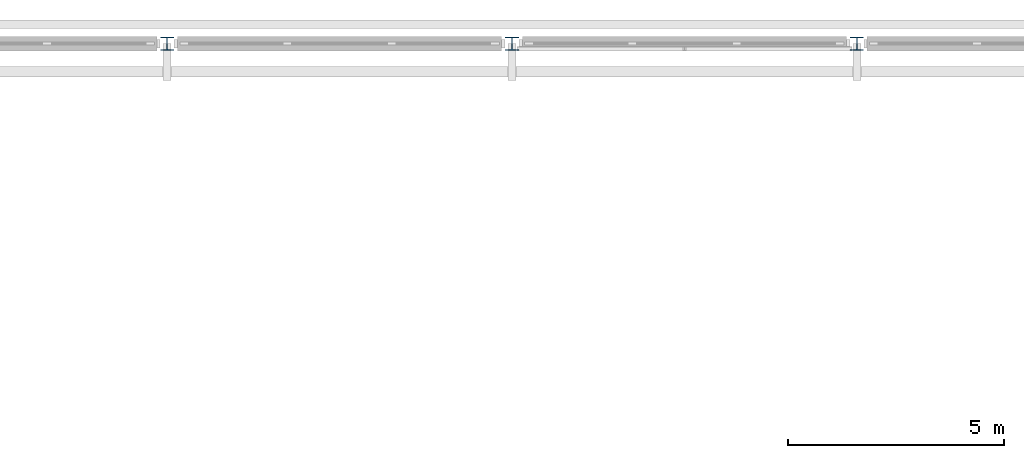
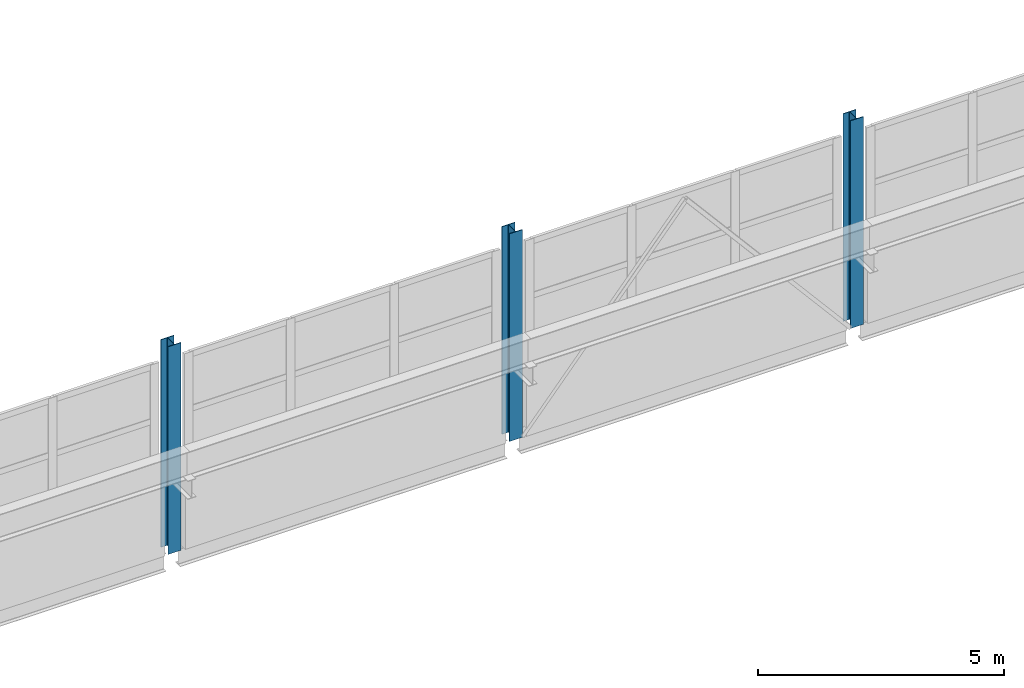
# One storey, part 10 of 106: 3 columns.
"""IFC4 building model written with IfcOpenShell, lengths in metres."""

import ifcopenshell
import ifcopenshell.guid

model = None  # the IFC model being written
_history = None  # IfcOwnerHistory: only IFC2X3 demands one
_inside = {}  # id of a spatial element -> (the spatial element, [elements in it])
_under = {}  # id of a project, library or spatial element -> (it, [spatial elements below it])
_declared = {}  # id of a project -> (the project, [libraries it declares])
_typed = {}  # id of a type object -> (the type object, [elements of that type])
_made_of = {}  # id of a material, layer set ... -> (it, [elements and type objects made of it])


def new_model(schema):
    """Start an empty IFC model of exactly this schema.

    Asked for "IFC4X3", IfcOpenShell would pick the latest addendum, in which some entities
    have other attributes; the version numbers below select the first issue.
    IFC2X3 requires an IfcOwnerHistory on every rooted entity: one is made here for all.
    """
    global model, _history
    if schema == "IFC4X3":
        model = ifcopenshell.file(schema_version=(4, 3, 0, 0))
    else:
        model = ifcopenshell.file(schema=schema)
    _inside.clear()
    _under.clear()
    _declared.clear()
    _typed.clear()
    _made_of.clear()
    _history = None
    if model.schema == "IFC2X3":
        org = make("IfcOrganization", Name="unknown")
        user = make(
            "IfcPersonAndOrganization",
            ThePerson=make("IfcPerson", FamilyName="unknown"),
            TheOrganization=org,
        )
        app = make(
            "IfcApplication",
            ApplicationDeveloper=org,
            Version="unknown",
            ApplicationFullName="unknown",
            ApplicationIdentifier="unknown",
        )
        _history = make(
            "IfcOwnerHistory",
            OwningUser=user,
            OwningApplication=app,
            ChangeAction="ADDED",
            CreationDate=0,
        )
    return model


def make(cls, **values):
    """One entity of the class cls with the attributes given. An attribute that is None is left unset."""
    return model.create_entity(
        cls, **{name: value for name, value in values.items() if value is not None}
    )


def rooted(cls, **values):
    """An entity with a GlobalId (a new one), such as an element, a storey or a relation."""
    return make(cls, GlobalId=ifcopenshell.guid.new(), OwnerHistory=_history, **values)


def si_unit(unit_type, name, prefix=None):
    """IfcSIUnit, for example si_unit("LENGTHUNIT", "METRE", prefix="MILLI")."""
    return make("IfcSIUnit", UnitType=unit_type, Prefix=prefix, Name=name)


def assignment(units):
    """IfcUnitAssignment: the units of a project."""
    return None if units is None else make("IfcUnitAssignment", Units=units)


def point(xyz):
    """IfcCartesianPoint."""
    return None if xyz is None else make("IfcCartesianPoint", Coordinates=xyz)


def direction(xyz):
    """IfcDirection."""
    return None if xyz is None else make("IfcDirection", DirectionRatios=xyz)


def frame(location, z_axis=None, x_axis=None):
    """IfcAxis2Placement3D, a coordinate frame: its origin and axes. An axis left out is left unset."""
    return make(
        "IfcAxis2Placement3D",
        Location=point(location),
        Axis=direction(z_axis),
        RefDirection=direction(x_axis),
    )


def frame_2d(location, x_axis=None):
    """IfcAxis2Placement2D, a coordinate frame in the plane: its origin and x axis."""
    return make(
        "IfcAxis2Placement2D", Location=point(location), RefDirection=direction(x_axis)
    )


def origin():
    """The frame at (0, 0, 0) with its axes left unset."""
    return frame((0.0, 0.0, 0.0))


def origin_2d():
    """The frame at (0, 0) in the plane with its x axis left unset."""
    return frame_2d((0.0, 0.0))


def place(relative_to, where):
    """IfcLocalPlacement: puts the frame where relative to a parent placement (None: the world)."""
    return make(
        "IfcLocalPlacement", PlacementRelTo=relative_to, RelativePlacement=where
    )


def context(
    kind, dimensions, precision=None, world=None, true_north=None, identifier=None
):
    """IfcGeometricRepresentationContext, for example the 3D "Model" context."""
    return make(
        "IfcGeometricRepresentationContext",
        ContextIdentifier=identifier,
        ContextType=kind,
        CoordinateSpaceDimension=dimensions,
        Precision=precision,
        WorldCoordinateSystem=world,
        TrueNorth=true_north,
    )


def subcontext(parent, identifier, kind, view, scale=None):
    """IfcGeometricRepresentationSubContext, for example "Body" below "Model"."""
    return make(
        "IfcGeometricRepresentationSubContext",
        ContextIdentifier=identifier,
        ContextType=kind,
        ParentContext=parent,
        TargetScale=scale,
        TargetView=view,
    )


def project(units=None, contexts=None):
    """IfcProject with its units and contexts."""
    return rooted(
        "IfcProject",
        Name="project",
        RepresentationContexts=contexts,
        UnitsInContext=assignment(units),
    )


def spatial(cls, under=None, at=None, **own):
    """A site, building, storey or space (cls), placed at a placement, below another one or the project."""
    s = rooted(cls, ObjectPlacement=at, **own)
    if under is not None:
        _under.setdefault(under.id(), (under, []))[1].append(s)
    return s


def profile(cls, at=None, kind="AREA", **sizes):
    """A parametric profile (cls). Its sizes go by their IFC names, for example OverallWidth=200.0."""
    return make(cls, ProfileType=kind, Position=at, **sizes)


def i_section(**sizes):
    """IfcIShapeProfileDef."""
    return profile("IfcIShapeProfileDef", **sizes)


def extrude(swept, where, along, depth):
    """IfcExtrudedAreaSolid: the profile swept, set in the frame where, extruded along a direction by depth."""
    return make(
        "IfcExtrudedAreaSolid",
        SweptArea=swept,
        Position=where,
        ExtrudedDirection=direction(along),
        Depth=depth,
    )


def shape(context_of_items, identifier, shape_type, items):
    """IfcShapeRepresentation: the items that make up one representation, for example the "Body"."""
    return make(
        "IfcShapeRepresentation",
        ContextOfItems=context_of_items,
        RepresentationIdentifier=identifier,
        RepresentationType=shape_type,
        Items=items,
    )


def material(Name=None, Category=None):
    """IfcMaterial."""
    return make("IfcMaterial", Name=Name, Category=Category)


def material_profile(
    of_material, cross_section, Name=None, Category=None, Priority=None
):
    """IfcMaterialProfile: a cross section and its material."""
    return make(
        "IfcMaterialProfile",
        Name=Name,
        Material=of_material,
        Profile=cross_section,
        Priority=Priority,
        Category=Category,
    )


def profile_set(profiles, Name=None, composite=None):
    """IfcMaterialProfileSet."""
    return make(
        "IfcMaterialProfileSet",
        Name=Name,
        MaterialProfiles=profiles,
        CompositeProfile=composite,
    )


def made_of(thing, what):
    """Note that an element or type object is made of a material, layer set ...; save() writes the relation."""
    if what is not None:
        _made_of.setdefault(what.id(), (what, []))[1].append(thing)
    return thing


def type_object(cls, material=None, **own):
    """A type object (cls), such as IfcWallType, which elements share."""
    return made_of(rooted(cls, **own), material)


def element(
    cls,
    number,
    at=None,
    inside=None,
    cuts=None,
    type_object=None,
    material=None,
    context=None,
    identifier="Body",
    shape_type=None,
    held_by="IfcProductDefinitionShape",
    body=None,
    shapes=None,
    **own,
):
    """One element of the class cls, such as IfcWall. Its Tag is "e" and its number.

    at: its placement. inside: the storey or other place that contains it. cuts: it is an
    opening in that element (IfcRelVoidsElement). A single representation is given by context,
    identifier, shape_type and body (its items); several are given by shapes. held_by: the class
    of the entity that holds the representations. save() writes the other relations.
    """
    e = rooted(cls, Tag="e%d" % number, ObjectPlacement=at, **own)
    if body is not None:
        shapes = [shape(context, identifier, shape_type, body)]
    if shapes is not None:
        e.Representation = make(held_by, Representations=shapes)
    if inside is not None:
        _inside.setdefault(inside.id(), (inside, []))[1].append(e)
    if cuts is not None:
        rooted(
            "IfcRelVoidsElement", RelatingBuildingElement=cuts, RelatedOpeningElement=e
        )
    if type_object is not None:
        _typed.setdefault(type_object.id(), (type_object, []))[1].append(e)
    return made_of(e, material)


def aggregate(whole, parts):
    """IfcRelAggregates: a whole, such as a stair, and the parts it consists of."""
    return rooted("IfcRelAggregates", RelatingObject=whole, RelatedObjects=parts)


def save(model, path):
    """Write the relations noted so far, then the file.

    IfcRelAggregates (storeys below a building ...), IfcRelContainedInSpatialStructure (elements
    in a storey), IfcRelDefinesByType, IfcRelAssociatesMaterial and IfcRelDeclares: one each for
    every whole, place, type object, material and project.
    """
    for whole, parts in _under.values():
        aggregate(whole, parts)
    for where, things in _inside.values():
        rooted(
            "IfcRelContainedInSpatialStructure",
            RelatedElements=things,
            RelatingStructure=where,
        )
    for kind, things in _typed.values():
        rooted("IfcRelDefinesByType", RelatedObjects=things, RelatingType=kind)
    for what, things in _made_of.values():
        rooted("IfcRelAssociatesMaterial", RelatedObjects=things, RelatingMaterial=what)
    for by, libraries in _declared.values():
        rooted("IfcRelDeclares", RelatingContext=by, RelatedDefinitions=libraries)
    model.write(path)


model = new_model("IFC4")

# Units and contexts
model_context = context("Model", 3, precision=1e-05, world=origin(), true_north=direction((0.0, 1.0)))
body_context = subcontext(model_context, "Body", "Model", "MODEL_VIEW")
ifc_project = project(units=[si_unit("LENGTHUNIT", "METRE"), si_unit("AREAUNIT", "SQUARE_METRE"), si_unit("VOLUMEUNIT", "CUBIC_METRE"), si_unit("PLANEANGLEUNIT", "RADIAN"), si_unit("MASSUNIT", "GRAM", prefix="KILO")], contexts=[model_context])

# Site, building, storey
site_placement = place(None, origin())
site = spatial("IfcSite", under=ifc_project, at=site_placement, CompositionType="ELEMENT")
building_placement = place(site_placement, origin())
building = spatial("IfcBuilding", under=site, at=building_placement, Name="Jelvoka-Kovrelna Polytechnic", CompositionType="ELEMENT")
storey_placement = place(building_placement, frame((0.0, 0.0, 4.800048828125)))
storey = spatial("IfcBuildingStorey", under=building, at=storey_placement, Name="L02", CompositionType="ELEMENT", Elevation=4.800048828125)

# Columns
ifc_material = material(Name="Structural steel S355JR", Category="steel")
ifc_material_profile = material_profile(ifc_material, i_section(OverallWidth=0.305419921875, OverallDepth=0.307861328125, WebThickness=0.010009765625, FlangeThickness=0.015380859375, FilletRadius=0.01513671875, at=origin_2d()), Name="305x305x97 UC")
ifc_profile_set = profile_set([ifc_material_profile], Name="Structural steel S355JR")
column_type = type_object("IfcColumnType", Name="Col_Steel_UC305", PredefinedType="COLUMN", material=ifc_profile_set)
for number, where, z_axis, x_axis, name in (
    (1, (120.0, 120.0, 0.0), (0.0, 0.0, 1.0), (1.0, 0.0, 0.0), "L02 column 1634"),
    (2, (128.0, 120.0, 0.0), (0.0, 0.0, 1.0), (1.0, 0.0, 0.0), "L02 column 1637"),
    (3, (136.0, 120.0, 0.0), (0.0, 0.0, 1.0), (1.0, 0.0, 0.0), "L02 column 1640"),
):
    element("IfcColumn", number, at=place(storey_placement, frame(where, z_axis=z_axis, x_axis=x_axis)), inside=storey, type_object=column_type, Name=name, PredefinedType="COLUMN", context=body_context, shape_type="SweptSolid", body=[
        extrude(i_section(OverallWidth=0.305419921875, OverallDepth=0.307861328125, WebThickness=0.010009765625, FlangeThickness=0.015380859375, FilletRadius=0.01513671875, at=origin_2d()), origin(), (0.0, 0.0, 1.0), 5.14990234375),
    ])

save(model, "model.ifc")
